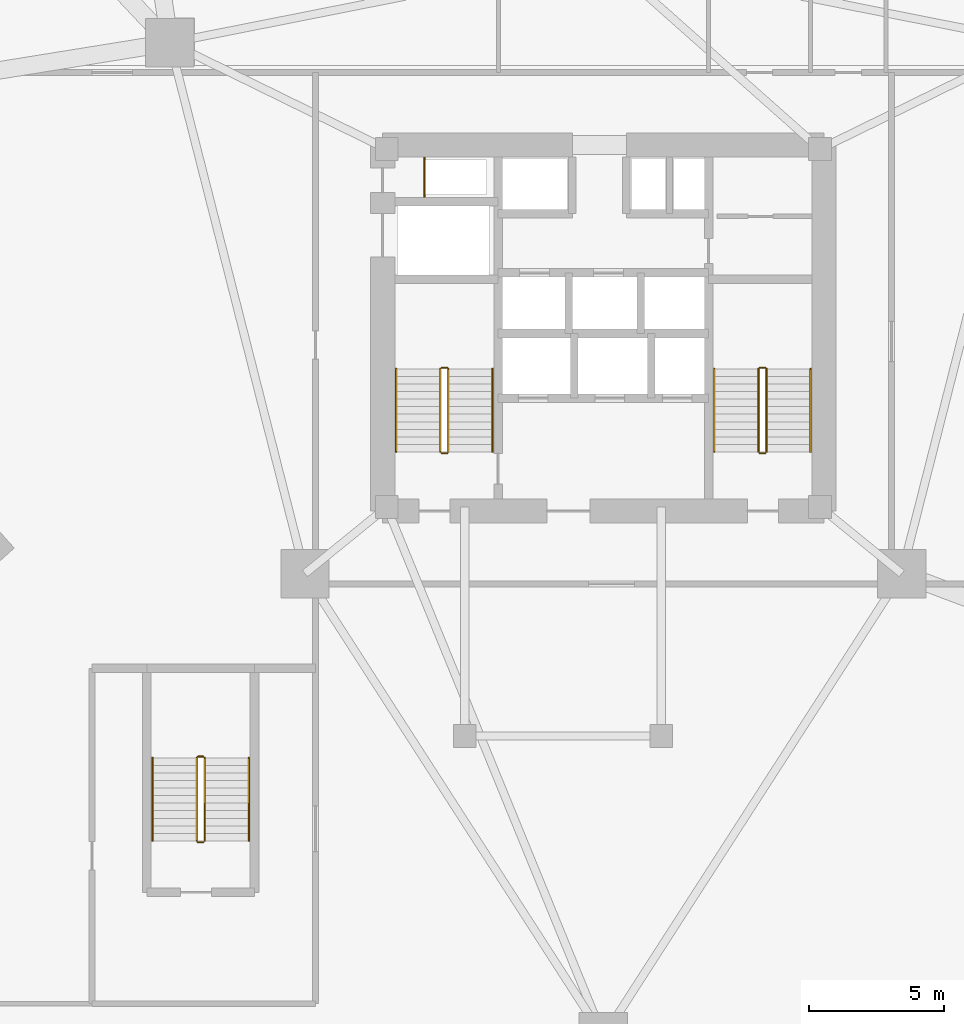
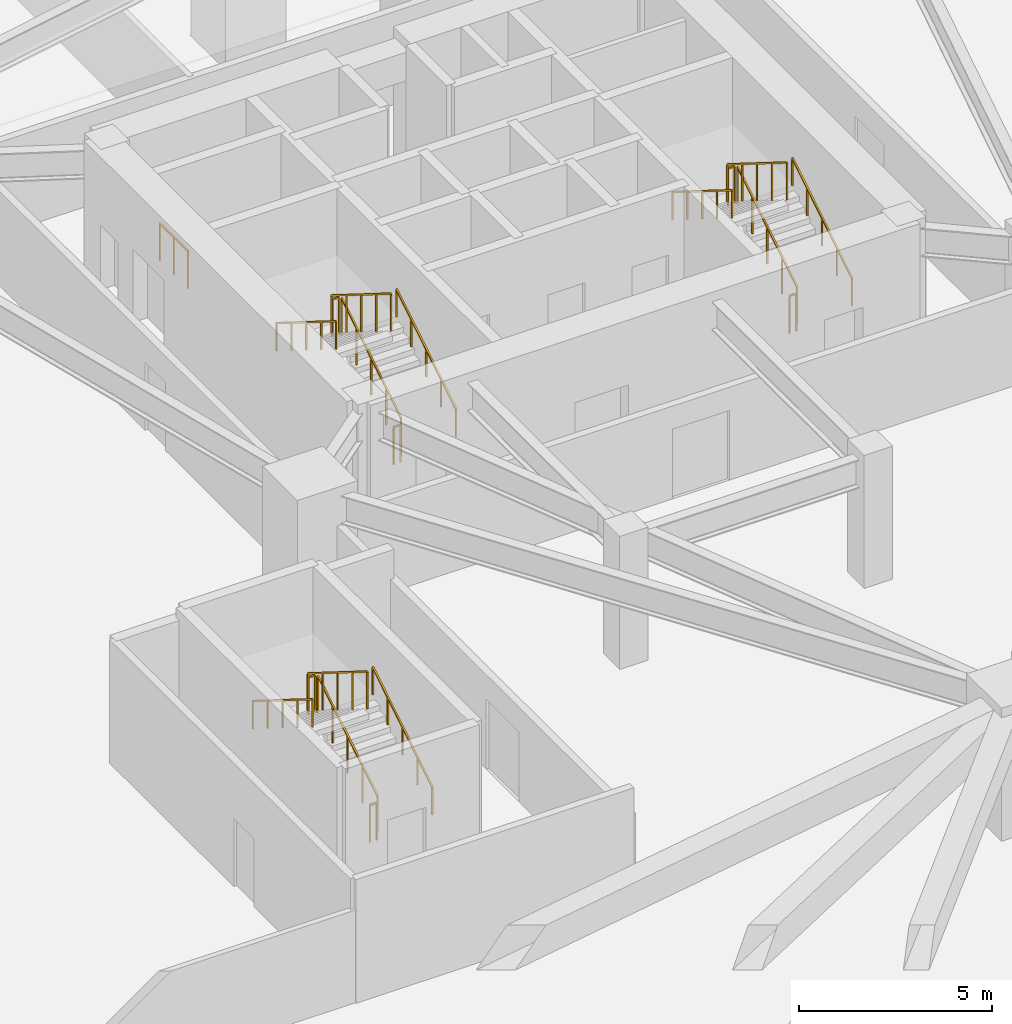
# One storey, part 9 of 10: 19 railings.
"""IFC4 building model written with IfcOpenShell, lengths in metres."""

from ifc_helpers import new_model, si_unit, direction, frame, origin, origin_2d, place, context, subcontext, project, spatial, rectangle, extrude, material, type_object, element, save


model = new_model("IFC4")

# Units and contexts
model_context = context("Model", 3, precision=1e-05, world=origin(), true_north=direction((0.0, 1.0)))
body_context = subcontext(model_context, "Body", "Model", "MODEL_VIEW")
ifc_project = project(units=[si_unit("LENGTHUNIT", "METRE"), si_unit("AREAUNIT", "SQUARE_METRE"), si_unit("VOLUMEUNIT", "CUBIC_METRE"), si_unit("PLANEANGLEUNIT", "RADIAN"), si_unit("MASSUNIT", "GRAM", prefix="KILO")], contexts=[model_context])

# Site, building, storey
site_placement = place(None, origin())
site = spatial("IfcSite", under=ifc_project, at=site_placement, CompositionType="ELEMENT")
building_placement = place(site_placement, origin())
building = spatial("IfcBuilding", under=site, at=building_placement, Name="Talyreon Biosciences Tower", CompositionType="ELEMENT")
storey_placement = place(building_placement, frame((0.0, 0.0, 10.199951171875)))
storey = spatial("IfcBuildingStorey", under=building, at=storey_placement, Name="L02", CompositionType="ELEMENT", Elevation=10.199951171875)

# Railings
ifc_material_1 = material(Name="Brushed stainless-steel tubular handrail", Category="steel")
railing_type_1 = type_object("IfcRailingType", Name="StairWallHandrail_900", PredefinedType="HANDRAIL", material=ifc_material_1)
railing_1_placement = place(storey_placement, frame((61.8798828125, 63.39990234375, 0.175048828125)))
element("IfcRailing", 1, at=railing_1_placement, inside=storey, type_object=railing_type_1, Name="L02 ST-1 stair handrail 1", PredefinedType="HANDRAIL", context=body_context, shape_type="SweptSolid", body=[
    extrude(rectangle(XDim=0.048095703125, YDim=0.048095703125, at=origin_2d()), frame((0.0, 0.0, 0.8759765625), z_axis=(0.0, 0.847998304005, 0.529998940003), x_axis=(-1.0, 0.0, 0.0)), (0.0, 0.0, 1.0), 3.632080078125),
    extrude(rectangle(XDim=0.0419921875, YDim=0.0419921875, at=origin_2d()), origin(), (0.0, 0.0, 1.0), 0.851806640625),
    extrude(rectangle(XDim=0.0419921875, YDim=0.0419921875, at=origin_2d()), frame((0.0, 0.77001953125, 0.481201171875)), (0.0, 0.0, 1.0), 0.851806640625),
    extrude(rectangle(XDim=0.0419921875, YDim=0.0419921875, at=origin_2d()), frame((0.0, 1.5400390625, 0.96240234375)), (0.0, 0.0, 1.0), 0.851806640625),
    extrude(rectangle(XDim=0.0419921875, YDim=0.0419921875, at=origin_2d()), frame((0.0, 2.31005859375, 1.44384765625)), (0.0, 0.0, 1.0), 0.851806640625),
    extrude(rectangle(XDim=0.0419921875, YDim=0.0419921875, at=origin_2d()), frame((0.0, 3.080078125, 1.925048828125)), (0.0, 0.0, 1.0), 0.851806640625),
])
railing_2_placement = place(storey_placement, frame((58.300048828125, 66.47998046875, 2.275146484375)))
element("IfcRailing", 2, at=railing_2_placement, inside=storey, type_object=railing_type_1, Name="L02 ST-1 stair handrail 2", PredefinedType="HANDRAIL", context=body_context, shape_type="SweptSolid", body=[
    extrude(rectangle(XDim=0.048095703125, YDim=0.048095703125, at=origin_2d()), frame((0.0, 0.0, 0.8759765625), z_axis=(0.0, -0.848028513186, 0.529950602248), x_axis=(1.0, 0.0, 0.0)), (0.0, 0.0, 1.0), 3.632080078125),
    extrude(rectangle(XDim=0.0419921875, YDim=0.0419921875, at=origin_2d()), origin(), (0.0, 0.0, 1.0), 0.851806640625),
    extrude(rectangle(XDim=0.0419921875, YDim=0.0419921875, at=origin_2d()), frame((0.0, -0.77001953125, 0.481201171875)), (0.0, 0.0, 1.0), 0.851806640625),
    extrude(rectangle(XDim=0.0419921875, YDim=0.0419921875, at=origin_2d()), frame((0.0, -1.5400390625, 0.96240234375)), (0.0, 0.0, 1.0), 0.851806640625),
    extrude(rectangle(XDim=0.0419921875, YDim=0.0419921875, at=origin_2d()), frame((0.0, -2.31005859375, 1.443603515625)), (0.0, 0.0, 1.0), 0.851806640625),
    extrude(rectangle(XDim=0.0419921875, YDim=0.0419921875, at=origin_2d()), frame((0.0, -3.080078125, 1.9248046875)), (0.0, 0.0, 1.0), 0.851806640625),
])
railing_3_placement = place(storey_placement, frame((73.699951171875, 63.39990234375, 0.175048828125)))
element("IfcRailing", 3, at=railing_3_placement, inside=storey, type_object=railing_type_1, Name="L02 ST-2 stair handrail 1", PredefinedType="HANDRAIL", context=body_context, shape_type="SweptSolid", body=[
    extrude(rectangle(XDim=0.048095703125, YDim=0.048095703125, at=origin_2d()), frame((0.0, 0.0, 0.8759765625), z_axis=(0.0, 0.847998304005, 0.529998940003), x_axis=(-1.0, 0.0, 0.0)), (0.0, 0.0, 1.0), 3.632080078125),
    extrude(rectangle(XDim=0.0419921875, YDim=0.0419921875, at=origin_2d()), origin(), (0.0, 0.0, 1.0), 0.851806640625),
    extrude(rectangle(XDim=0.0419921875, YDim=0.0419921875, at=origin_2d()), frame((0.0, 0.77001953125, 0.481201171875)), (0.0, 0.0, 1.0), 0.851806640625),
    extrude(rectangle(XDim=0.0419921875, YDim=0.0419921875, at=origin_2d()), frame((0.0, 1.5400390625, 0.96240234375)), (0.0, 0.0, 1.0), 0.851806640625),
    extrude(rectangle(XDim=0.0419921875, YDim=0.0419921875, at=origin_2d()), frame((0.0, 2.31005859375, 1.44384765625)), (0.0, 0.0, 1.0), 0.851806640625),
    extrude(rectangle(XDim=0.0419921875, YDim=0.0419921875, at=origin_2d()), frame((0.0, 3.080078125, 1.925048828125)), (0.0, 0.0, 1.0), 0.851806640625),
])
railing_4_placement = place(storey_placement, frame((70.1201171875, 66.47998046875, 2.275146484375)))
element("IfcRailing", 4, at=railing_4_placement, inside=storey, type_object=railing_type_1, Name="L02 ST-2 stair handrail 2", PredefinedType="HANDRAIL", context=body_context, shape_type="SweptSolid", body=[
    extrude(rectangle(XDim=0.048095703125, YDim=0.048095703125, at=origin_2d()), frame((0.0, 0.0, 0.8759765625), z_axis=(0.0, -0.848028513186, 0.529950602248), x_axis=(1.0, 0.0, 0.0)), (0.0, 0.0, 1.0), 3.632080078125),
    extrude(rectangle(XDim=0.0419921875, YDim=0.0419921875, at=origin_2d()), origin(), (0.0, 0.0, 1.0), 0.851806640625),
    extrude(rectangle(XDim=0.0419921875, YDim=0.0419921875, at=origin_2d()), frame((0.0, -0.77001953125, 0.481201171875)), (0.0, 0.0, 1.0), 0.851806640625),
    extrude(rectangle(XDim=0.0419921875, YDim=0.0419921875, at=origin_2d()), frame((0.0, -1.5400390625, 0.96240234375)), (0.0, 0.0, 1.0), 0.851806640625),
    extrude(rectangle(XDim=0.0419921875, YDim=0.0419921875, at=origin_2d()), frame((0.0, -2.31005859375, 1.443603515625)), (0.0, 0.0, 1.0), 0.851806640625),
    extrude(rectangle(XDim=0.0419921875, YDim=0.0419921875, at=origin_2d()), frame((0.0, -3.080078125, 1.9248046875)), (0.0, 0.0, 1.0), 0.851806640625),
])
railing_5_placement = place(storey_placement, frame((52.830078125, 48.949951171875, 0.175048828125)))
element("IfcRailing", 5, at=railing_5_placement, inside=storey, type_object=railing_type_1, Name="L02 ST-3 stair handrail 1", PredefinedType="HANDRAIL", context=body_context, shape_type="SweptSolid", body=[
    extrude(rectangle(XDim=0.048095703125, YDim=0.048095703125, at=origin_2d()), frame((0.0, 0.0, 0.8759765625), z_axis=(0.0, 0.847998304005, 0.529998940003), x_axis=(-1.0, 0.0, 0.0)), (0.0, 0.0, 1.0), 3.632080078125),
    extrude(rectangle(XDim=0.0419921875, YDim=0.0419921875, at=origin_2d()), origin(), (0.0, 0.0, 1.0), 0.851806640625),
    extrude(rectangle(XDim=0.0419921875, YDim=0.0419921875, at=origin_2d()), frame((0.0, 0.77001953125, 0.481201171875)), (0.0, 0.0, 1.0), 0.851806640625),
    extrude(rectangle(XDim=0.0419921875, YDim=0.0419921875, at=origin_2d()), frame((0.0, 1.5400390625, 0.96240234375)), (0.0, 0.0, 1.0), 0.851806640625),
    extrude(rectangle(XDim=0.0419921875, YDim=0.0419921875, at=origin_2d()), frame((0.0, 2.31005859375, 1.44384765625)), (0.0, 0.0, 1.0), 0.851806640625),
    extrude(rectangle(XDim=0.0419921875, YDim=0.0419921875, at=origin_2d()), frame((0.0, 3.080078125, 1.925048828125)), (0.0, 0.0, 1.0), 0.851806640625),
])
railing_6_placement = place(storey_placement, frame((49.25, 52.030029296875, 2.275146484375)))
element("IfcRailing", 6, at=railing_6_placement, inside=storey, type_object=railing_type_1, Name="L02 ST-3 stair handrail 2", PredefinedType="HANDRAIL", context=body_context, shape_type="SweptSolid", body=[
    extrude(rectangle(XDim=0.048095703125, YDim=0.048095703125, at=origin_2d()), frame((0.0, 0.0, 0.8759765625), z_axis=(0.0, -0.848028513186, 0.529950602248), x_axis=(1.0, 0.0, 0.0)), (0.0, 0.0, 1.0), 3.632080078125),
    extrude(rectangle(XDim=0.0419921875, YDim=0.0419921875, at=origin_2d()), origin(), (0.0, 0.0, 1.0), 0.851806640625),
    extrude(rectangle(XDim=0.0419921875, YDim=0.0419921875, at=origin_2d()), frame((0.0, -0.77001953125, 0.481201171875)), (0.0, 0.0, 1.0), 0.851806640625),
    extrude(rectangle(XDim=0.0419921875, YDim=0.0419921875, at=origin_2d()), frame((0.0, -1.5400390625, 0.96240234375)), (0.0, 0.0, 1.0), 0.851806640625),
    extrude(rectangle(XDim=0.0419921875, YDim=0.0419921875, at=origin_2d()), frame((0.0, -2.31005859375, 1.443603515625)), (0.0, 0.0, 1.0), 0.851806640625),
    extrude(rectangle(XDim=0.0419921875, YDim=0.0419921875, at=origin_2d()), frame((0.0, -3.080078125, 1.9248046875)), (0.0, 0.0, 1.0), 0.851806640625),
])
ifc_material_2 = material(Name="Painted galvanised steel post-and-rail balustrade", Category="steel")
railing_type_2 = type_object("IfcRailingType", Name="TerraceStairGuard_1200", PredefinedType="GUARDRAIL", material=ifc_material_2)
railing_7_placement = place(storey_placement, frame((60.239990234375, 63.39990234375, 0.175048828125)))
element("IfcRailing", 7, at=railing_7_placement, inside=storey, type_object=railing_type_2, Name="L02 ST-1 stair guard 1", PredefinedType="GUARDRAIL", context=body_context, shape_type="SweptSolid", body=[
    extrude(rectangle(XDim=0.048095703125, YDim=0.048095703125, at=origin_2d()), frame((0.0, 0.0, 1.17578125), z_axis=(0.0, 0.847998304005, 0.529998940003), x_axis=(-1.0, 0.0, 0.0)), (0.0, 0.0, 1.0), 3.632080078125),
    extrude(rectangle(XDim=0.0419921875, YDim=0.0419921875, at=origin_2d()), origin(), (0.0, 0.0, 1.0), 1.15185546875),
    extrude(rectangle(XDim=0.0419921875, YDim=0.0419921875, at=origin_2d()), frame((0.0, 0.77001953125, 0.481201171875)), (0.0, 0.0, 1.0), 1.15185546875),
    extrude(rectangle(XDim=0.0419921875, YDim=0.0419921875, at=origin_2d()), frame((0.0, 1.5400390625, 0.96240234375)), (0.0, 0.0, 1.0), 1.15185546875),
    extrude(rectangle(XDim=0.0419921875, YDim=0.0419921875, at=origin_2d()), frame((0.0, 2.31005859375, 1.44384765625)), (0.0, 0.0, 1.0), 1.15185546875),
    extrude(rectangle(XDim=0.0419921875, YDim=0.0419921875, at=origin_2d()), frame((0.0, 3.080078125, 1.925048828125)), (0.0, 0.0, 1.0), 1.15185546875),
])
railing_8_placement = place(storey_placement, frame((60.18994140625, 66.530029296875, 2.10009765625)))
element("IfcRailing", 8, at=railing_8_placement, inside=storey, type_object=railing_type_2, Name="L02 ST-1 stair guard 2", PredefinedType="GUARDRAIL", context=body_context, shape_type="SweptSolid", body=[
    extrude(rectangle(XDim=0.048095703125, YDim=0.048095703125, at=origin_2d()), frame((0.0, 0.0, 1.17578125), z_axis=(-1.0, 0.0, 0.0), x_axis=(0.0, -1.0, 0.0)), (0.0, 0.0, 1.0), 0.199951171875),
    extrude(rectangle(XDim=0.0419921875, YDim=0.0419921875, at=origin_2d()), origin(), (0.0, 0.0, 1.0), 1.15185546875),
    extrude(rectangle(XDim=0.0419921875, YDim=0.0419921875, at=origin_2d()), frame((-0.199951171875, 0.0, 0.0)), (0.0, 0.0, 1.0), 1.15185546875),
])
railing_9_placement = place(storey_placement, frame((59.93994140625, 66.47998046875, 2.275146484375)))
element("IfcRailing", 9, at=railing_9_placement, inside=storey, type_object=railing_type_2, Name="L02 ST-1 stair guard 3", PredefinedType="GUARDRAIL", context=body_context, shape_type="SweptSolid", body=[
    extrude(rectangle(XDim=0.048095703125, YDim=0.048095703125, at=origin_2d()), frame((0.0, 0.0, 1.17578125), z_axis=(0.0, -0.848028513186, 0.529950602248), x_axis=(1.0, 0.0, 0.0)), (0.0, 0.0, 1.0), 3.632080078125),
    extrude(rectangle(XDim=0.0419921875, YDim=0.0419921875, at=origin_2d()), origin(), (0.0, 0.0, 1.0), 1.15185546875),
    extrude(rectangle(XDim=0.0419921875, YDim=0.0419921875, at=origin_2d()), frame((0.0, -0.77001953125, 0.481201171875)), (0.0, 0.0, 1.0), 1.15185546875),
    extrude(rectangle(XDim=0.0419921875, YDim=0.0419921875, at=origin_2d()), frame((0.0, -1.5400390625, 0.96240234375)), (0.0, 0.0, 1.0), 1.15185546875),
    extrude(rectangle(XDim=0.0419921875, YDim=0.0419921875, at=origin_2d()), frame((0.0, -2.31005859375, 1.443603515625)), (0.0, 0.0, 1.0), 1.15185546875),
    extrude(rectangle(XDim=0.0419921875, YDim=0.0419921875, at=origin_2d()), frame((0.0, -3.080078125, 1.9248046875)), (0.0, 0.0, 1.0), 1.15185546875),
])
railing_10_placement = place(storey_placement, frame((60.18994140625, 63.35009765625, 0.0)))
element("IfcRailing", 10, at=railing_10_placement, inside=storey, type_object=railing_type_2, Name="L02 ST-1 stair guard 4", PredefinedType="GUARDRAIL", context=body_context, shape_type="SweptSolid", body=[
    extrude(rectangle(XDim=0.048095703125, YDim=0.048095703125, at=origin_2d()), frame((0.0, 0.0, 1.17578125), z_axis=(-1.0, 0.0, 0.0), x_axis=(0.0, -1.0, 0.0)), (0.0, 0.0, 1.0), 0.199951171875),
    extrude(rectangle(XDim=0.0419921875, YDim=0.0419921875, at=origin_2d()), origin(), (0.0, 0.0, 1.0), 1.15185546875),
    extrude(rectangle(XDim=0.0419921875, YDim=0.0419921875, at=origin_2d()), frame((-0.199951171875, 0.0, 0.0)), (0.0, 0.0, 1.0), 1.15185546875),
])
railing_11_placement = place(storey_placement, frame((72.06005859375, 63.39990234375, 0.175048828125)))
element("IfcRailing", 11, at=railing_11_placement, inside=storey, type_object=railing_type_2, Name="L02 ST-2 stair guard 1", PredefinedType="GUARDRAIL", context=body_context, shape_type="SweptSolid", body=[
    extrude(rectangle(XDim=0.048095703125, YDim=0.048095703125, at=origin_2d()), frame((0.0, 0.0, 1.17578125), z_axis=(0.0, 0.847998304005, 0.529998940003), x_axis=(-1.0, 0.0, 0.0)), (0.0, 0.0, 1.0), 3.632080078125),
    extrude(rectangle(XDim=0.0419921875, YDim=0.0419921875, at=origin_2d()), origin(), (0.0, 0.0, 1.0), 1.15185546875),
    extrude(rectangle(XDim=0.0419921875, YDim=0.0419921875, at=origin_2d()), frame((0.0, 0.77001953125, 0.481201171875)), (0.0, 0.0, 1.0), 1.15185546875),
    extrude(rectangle(XDim=0.0419921875, YDim=0.0419921875, at=origin_2d()), frame((0.0, 1.5400390625, 0.96240234375)), (0.0, 0.0, 1.0), 1.15185546875),
    extrude(rectangle(XDim=0.0419921875, YDim=0.0419921875, at=origin_2d()), frame((0.0, 2.31005859375, 1.44384765625)), (0.0, 0.0, 1.0), 1.15185546875),
    extrude(rectangle(XDim=0.0419921875, YDim=0.0419921875, at=origin_2d()), frame((0.0, 3.080078125, 1.925048828125)), (0.0, 0.0, 1.0), 1.15185546875),
])
railing_12_placement = place(storey_placement, frame((72.010009765625, 66.530029296875, 2.10009765625)))
element("IfcRailing", 12, at=railing_12_placement, inside=storey, type_object=railing_type_2, Name="L02 ST-2 stair guard 2", PredefinedType="GUARDRAIL", context=body_context, shape_type="SweptSolid", body=[
    extrude(rectangle(XDim=0.048095703125, YDim=0.048095703125, at=origin_2d()), frame((0.0, 0.0, 1.17578125), z_axis=(-1.0, 0.0, 0.0), x_axis=(0.0, -1.0, 0.0)), (0.0, 0.0, 1.0), 0.199951171875),
    extrude(rectangle(XDim=0.0419921875, YDim=0.0419921875, at=origin_2d()), origin(), (0.0, 0.0, 1.0), 1.15185546875),
    extrude(rectangle(XDim=0.0419921875, YDim=0.0419921875, at=origin_2d()), frame((-0.199951171875, 0.0, 0.0)), (0.0, 0.0, 1.0), 1.15185546875),
])
railing_13_placement = place(storey_placement, frame((71.760009765625, 66.47998046875, 2.275146484375)))
element("IfcRailing", 13, at=railing_13_placement, inside=storey, type_object=railing_type_2, Name="L02 ST-2 stair guard 3", PredefinedType="GUARDRAIL", context=body_context, shape_type="SweptSolid", body=[
    extrude(rectangle(XDim=0.048095703125, YDim=0.048095703125, at=origin_2d()), frame((0.0, 0.0, 1.17578125), z_axis=(0.0, -0.848028513186, 0.529950602248), x_axis=(1.0, 0.0, 0.0)), (0.0, 0.0, 1.0), 3.632080078125),
    extrude(rectangle(XDim=0.0419921875, YDim=0.0419921875, at=origin_2d()), origin(), (0.0, 0.0, 1.0), 1.15185546875),
    extrude(rectangle(XDim=0.0419921875, YDim=0.0419921875, at=origin_2d()), frame((0.0, -0.77001953125, 0.481201171875)), (0.0, 0.0, 1.0), 1.15185546875),
    extrude(rectangle(XDim=0.0419921875, YDim=0.0419921875, at=origin_2d()), frame((0.0, -1.5400390625, 0.96240234375)), (0.0, 0.0, 1.0), 1.15185546875),
    extrude(rectangle(XDim=0.0419921875, YDim=0.0419921875, at=origin_2d()), frame((0.0, -2.31005859375, 1.443603515625)), (0.0, 0.0, 1.0), 1.15185546875),
    extrude(rectangle(XDim=0.0419921875, YDim=0.0419921875, at=origin_2d()), frame((0.0, -3.080078125, 1.9248046875)), (0.0, 0.0, 1.0), 1.15185546875),
])
railing_14_placement = place(storey_placement, frame((72.010009765625, 63.35009765625, 0.0)))
element("IfcRailing", 14, at=railing_14_placement, inside=storey, type_object=railing_type_2, Name="L02 ST-2 stair guard 4", PredefinedType="GUARDRAIL", context=body_context, shape_type="SweptSolid", body=[
    extrude(rectangle(XDim=0.048095703125, YDim=0.048095703125, at=origin_2d()), frame((0.0, 0.0, 1.17578125), z_axis=(-1.0, 0.0, 0.0), x_axis=(0.0, -1.0, 0.0)), (0.0, 0.0, 1.0), 0.199951171875),
    extrude(rectangle(XDim=0.0419921875, YDim=0.0419921875, at=origin_2d()), origin(), (0.0, 0.0, 1.0), 1.15185546875),
    extrude(rectangle(XDim=0.0419921875, YDim=0.0419921875, at=origin_2d()), frame((-0.199951171875, 0.0, 0.0)), (0.0, 0.0, 1.0), 1.15185546875),
])
railing_15_placement = place(storey_placement, frame((51.18994140625, 48.949951171875, 0.175048828125)))
element("IfcRailing", 15, at=railing_15_placement, inside=storey, type_object=railing_type_2, Name="L02 ST-3 stair guard 1", PredefinedType="GUARDRAIL", context=body_context, shape_type="SweptSolid", body=[
    extrude(rectangle(XDim=0.048095703125, YDim=0.048095703125, at=origin_2d()), frame((0.0, 0.0, 1.17578125), z_axis=(0.0, 0.847998304005, 0.529998940003), x_axis=(-1.0, 0.0, 0.0)), (0.0, 0.0, 1.0), 3.632080078125),
    extrude(rectangle(XDim=0.0419921875, YDim=0.0419921875, at=origin_2d()), origin(), (0.0, 0.0, 1.0), 1.15185546875),
    extrude(rectangle(XDim=0.0419921875, YDim=0.0419921875, at=origin_2d()), frame((0.0, 0.77001953125, 0.481201171875)), (0.0, 0.0, 1.0), 1.15185546875),
    extrude(rectangle(XDim=0.0419921875, YDim=0.0419921875, at=origin_2d()), frame((0.0, 1.5400390625, 0.96240234375)), (0.0, 0.0, 1.0), 1.15185546875),
    extrude(rectangle(XDim=0.0419921875, YDim=0.0419921875, at=origin_2d()), frame((0.0, 2.31005859375, 1.44384765625)), (0.0, 0.0, 1.0), 1.15185546875),
    extrude(rectangle(XDim=0.0419921875, YDim=0.0419921875, at=origin_2d()), frame((0.0, 3.080078125, 1.925048828125)), (0.0, 0.0, 1.0), 1.15185546875),
])
railing_16_placement = place(storey_placement, frame((51.139892578125, 52.080078125, 2.10009765625)))
element("IfcRailing", 16, at=railing_16_placement, inside=storey, type_object=railing_type_2, Name="L02 ST-3 stair guard 2", PredefinedType="GUARDRAIL", context=body_context, shape_type="SweptSolid", body=[
    extrude(rectangle(XDim=0.048095703125, YDim=0.048095703125, at=origin_2d()), frame((0.0, 0.0, 1.17578125), z_axis=(-1.0, 0.0, 0.0), x_axis=(0.0, -1.0, 0.0)), (0.0, 0.0, 1.0), 0.199951171875),
    extrude(rectangle(XDim=0.0419921875, YDim=0.0419921875, at=origin_2d()), origin(), (0.0, 0.0, 1.0), 1.15185546875),
    extrude(rectangle(XDim=0.0419921875, YDim=0.0419921875, at=origin_2d()), frame((-0.199951171875, 0.0, 0.0)), (0.0, 0.0, 1.0), 1.15185546875),
])
railing_17_placement = place(storey_placement, frame((50.889892578125, 52.030029296875, 2.275146484375)))
element("IfcRailing", 17, at=railing_17_placement, inside=storey, type_object=railing_type_2, Name="L02 ST-3 stair guard 3", PredefinedType="GUARDRAIL", context=body_context, shape_type="SweptSolid", body=[
    extrude(rectangle(XDim=0.048095703125, YDim=0.048095703125, at=origin_2d()), frame((0.0, 0.0, 1.17578125), z_axis=(0.0, -0.848028513186, 0.529950602248), x_axis=(1.0, 0.0, 0.0)), (0.0, 0.0, 1.0), 3.632080078125),
    extrude(rectangle(XDim=0.0419921875, YDim=0.0419921875, at=origin_2d()), origin(), (0.0, 0.0, 1.0), 1.15185546875),
    extrude(rectangle(XDim=0.0419921875, YDim=0.0419921875, at=origin_2d()), frame((0.0, -0.77001953125, 0.481201171875)), (0.0, 0.0, 1.0), 1.15185546875),
    extrude(rectangle(XDim=0.0419921875, YDim=0.0419921875, at=origin_2d()), frame((0.0, -1.5400390625, 0.96240234375)), (0.0, 0.0, 1.0), 1.15185546875),
    extrude(rectangle(XDim=0.0419921875, YDim=0.0419921875, at=origin_2d()), frame((0.0, -2.31005859375, 1.443603515625)), (0.0, 0.0, 1.0), 1.15185546875),
    extrude(rectangle(XDim=0.0419921875, YDim=0.0419921875, at=origin_2d()), frame((0.0, -3.080078125, 1.9248046875)), (0.0, 0.0, 1.0), 1.15185546875),
])
railing_18_placement = place(storey_placement, frame((51.139892578125, 48.89990234375, 0.0)))
element("IfcRailing", 18, at=railing_18_placement, inside=storey, type_object=railing_type_2, Name="L02 ST-3 stair guard 4", PredefinedType="GUARDRAIL", context=body_context, shape_type="SweptSolid", body=[
    extrude(rectangle(XDim=0.048095703125, YDim=0.048095703125, at=origin_2d()), frame((0.0, 0.0, 1.17578125), z_axis=(-1.0, 0.0, 0.0), x_axis=(0.0, -1.0, 0.0)), (0.0, 0.0, 1.0), 0.199951171875),
    extrude(rectangle(XDim=0.0419921875, YDim=0.0419921875, at=origin_2d()), origin(), (0.0, 0.0, 1.0), 1.15185546875),
    extrude(rectangle(XDim=0.0419921875, YDim=0.0419921875, at=origin_2d()), frame((-0.199951171875, 0.0, 0.0)), (0.0, 0.0, 1.0), 1.15185546875),
])
railing_19_placement = place(storey_placement, frame((59.35009765625, 72.8798828125, 0.0)))
element("IfcRailing", 19, at=railing_19_placement, inside=storey, type_object=railing_type_2, Name="L02 Exhaust Riser Maintenance Guardrail", PredefinedType="GUARDRAIL", context=body_context, shape_type="SweptSolid", body=[
    extrude(rectangle(XDim=0.048095703125, YDim=0.048095703125, at=origin_2d()), frame((0.0, 0.0, 1.17578125), z_axis=(0.0, 1.0, 0.0), x_axis=(-1.0, 0.0, 0.0)), (0.0, 0.0, 1.0), 1.4501953125),
    extrude(rectangle(XDim=0.0419921875, YDim=0.0419921875, at=origin_2d()), origin(), (0.0, 0.0, 1.0), 1.15185546875),
    extrude(rectangle(XDim=0.0419921875, YDim=0.0419921875, at=origin_2d()), frame((0.0, 0.72509765625, 0.0)), (0.0, 0.0, 1.0), 1.15185546875),
    extrude(rectangle(XDim=0.0419921875, YDim=0.0419921875, at=origin_2d()), frame((0.0, 1.4501953125, 0.0)), (0.0, 0.0, 1.0), 1.15185546875),
])

save(model, "model.ifc")
